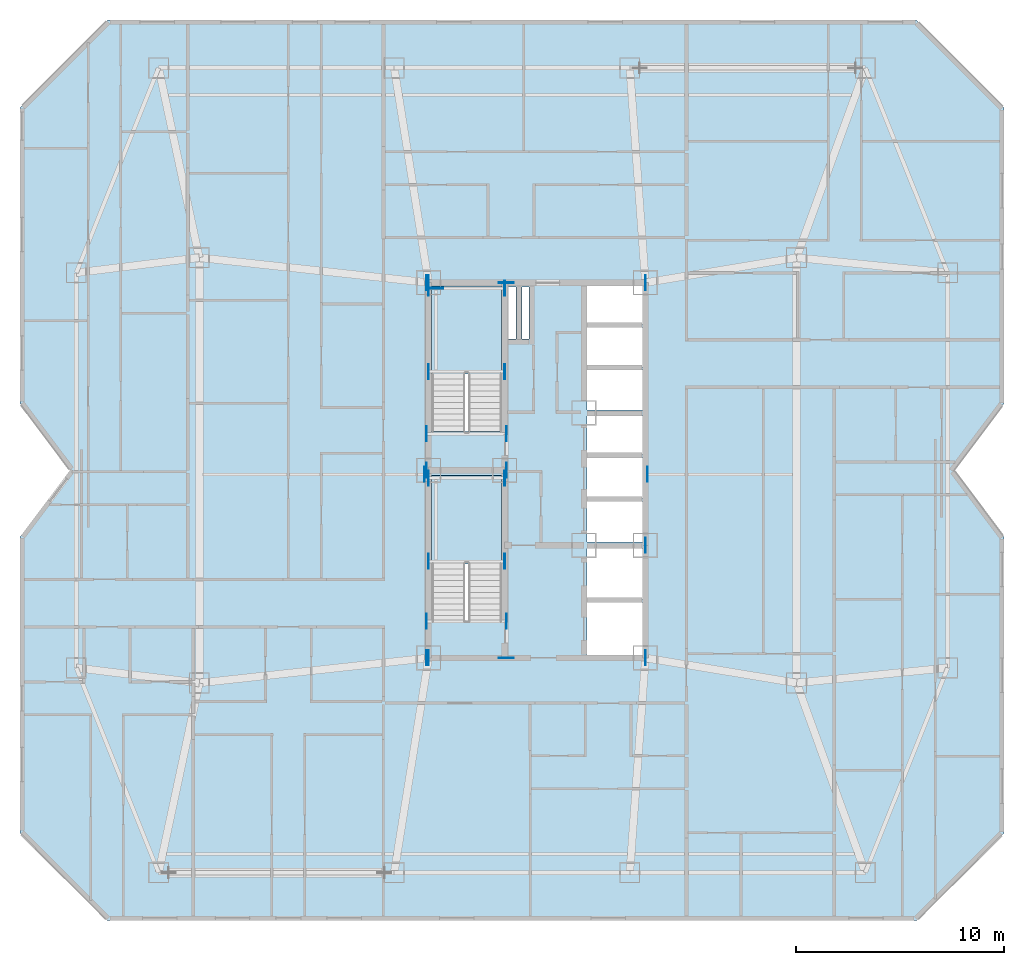
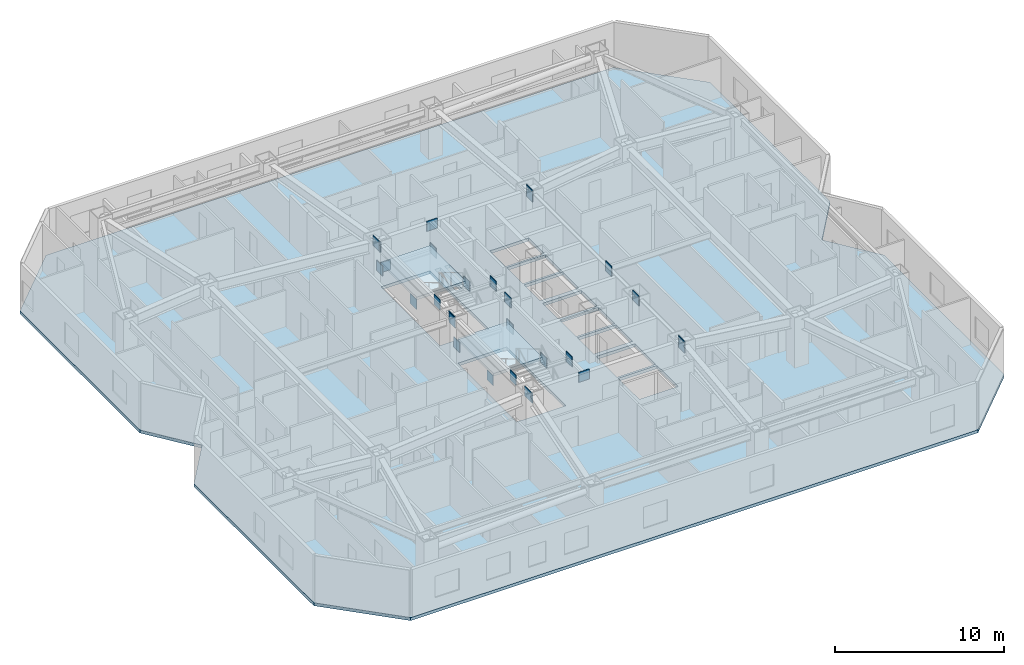
# One storey, part 2 of 13: 28 plates, 3 slabs, 2 elements without a shape of their own.
"""IFC4 building model written with IfcOpenShell, lengths in metres."""

import ifcopenshell
import ifcopenshell.guid

model = None  # the IFC model being written
_history = None  # IfcOwnerHistory: only IFC2X3 demands one
_inside = {}  # id of a spatial element -> (the spatial element, [elements in it])
_under = {}  # id of a project, library or spatial element -> (it, [spatial elements below it])
_declared = {}  # id of a project -> (the project, [libraries it declares])
_typed = {}  # id of a type object -> (the type object, [elements of that type])
_made_of = {}  # id of a material, layer set ... -> (it, [elements and type objects made of it])


def new_model(schema):
    """Start an empty IFC model of exactly this schema.

    Asked for "IFC4X3", IfcOpenShell would pick the latest addendum, in which some entities
    have other attributes; the version numbers below select the first issue.
    IFC2X3 requires an IfcOwnerHistory on every rooted entity: one is made here for all.
    """
    global model, _history
    if schema == "IFC4X3":
        model = ifcopenshell.file(schema_version=(4, 3, 0, 0))
    else:
        model = ifcopenshell.file(schema=schema)
    _inside.clear()
    _under.clear()
    _declared.clear()
    _typed.clear()
    _made_of.clear()
    _history = None
    if model.schema == "IFC2X3":
        org = make("IfcOrganization", Name="unknown")
        user = make(
            "IfcPersonAndOrganization",
            ThePerson=make("IfcPerson", FamilyName="unknown"),
            TheOrganization=org,
        )
        app = make(
            "IfcApplication",
            ApplicationDeveloper=org,
            Version="unknown",
            ApplicationFullName="unknown",
            ApplicationIdentifier="unknown",
        )
        _history = make(
            "IfcOwnerHistory",
            OwningUser=user,
            OwningApplication=app,
            ChangeAction="ADDED",
            CreationDate=0,
        )
    return model


def make(cls, **values):
    """One entity of the class cls with the attributes given. An attribute that is None is left unset."""
    return model.create_entity(
        cls, **{name: value for name, value in values.items() if value is not None}
    )


def rooted(cls, **values):
    """An entity with a GlobalId (a new one), such as an element, a storey or a relation."""
    return make(cls, GlobalId=ifcopenshell.guid.new(), OwnerHistory=_history, **values)


def si_unit(unit_type, name, prefix=None):
    """IfcSIUnit, for example si_unit("LENGTHUNIT", "METRE", prefix="MILLI")."""
    return make("IfcSIUnit", UnitType=unit_type, Prefix=prefix, Name=name)


def assignment(units):
    """IfcUnitAssignment: the units of a project."""
    return None if units is None else make("IfcUnitAssignment", Units=units)


def point(xyz):
    """IfcCartesianPoint."""
    return None if xyz is None else make("IfcCartesianPoint", Coordinates=xyz)


def direction(xyz):
    """IfcDirection."""
    return None if xyz is None else make("IfcDirection", DirectionRatios=xyz)


def frame(location, z_axis=None, x_axis=None):
    """IfcAxis2Placement3D, a coordinate frame: its origin and axes. An axis left out is left unset."""
    return make(
        "IfcAxis2Placement3D",
        Location=point(location),
        Axis=direction(z_axis),
        RefDirection=direction(x_axis),
    )


def frame_2d(location, x_axis=None):
    """IfcAxis2Placement2D, a coordinate frame in the plane: its origin and x axis."""
    return make(
        "IfcAxis2Placement2D", Location=point(location), RefDirection=direction(x_axis)
    )


def origin():
    """The frame at (0, 0, 0) with its axes left unset."""
    return frame((0.0, 0.0, 0.0))


def origin_2d():
    """The frame at (0, 0) in the plane with its x axis left unset."""
    return frame_2d((0.0, 0.0))


def place(relative_to, where):
    """IfcLocalPlacement: puts the frame where relative to a parent placement (None: the world)."""
    return make(
        "IfcLocalPlacement", PlacementRelTo=relative_to, RelativePlacement=where
    )


def context(
    kind, dimensions, precision=None, world=None, true_north=None, identifier=None
):
    """IfcGeometricRepresentationContext, for example the 3D "Model" context."""
    return make(
        "IfcGeometricRepresentationContext",
        ContextIdentifier=identifier,
        ContextType=kind,
        CoordinateSpaceDimension=dimensions,
        Precision=precision,
        WorldCoordinateSystem=world,
        TrueNorth=true_north,
    )


def subcontext(parent, identifier, kind, view, scale=None):
    """IfcGeometricRepresentationSubContext, for example "Body" below "Model"."""
    return make(
        "IfcGeometricRepresentationSubContext",
        ContextIdentifier=identifier,
        ContextType=kind,
        ParentContext=parent,
        TargetScale=scale,
        TargetView=view,
    )


def project(units=None, contexts=None):
    """IfcProject with its units and contexts."""
    return rooted(
        "IfcProject",
        Name="project",
        RepresentationContexts=contexts,
        UnitsInContext=assignment(units),
    )


def spatial(cls, under=None, at=None, **own):
    """A site, building, storey or space (cls), placed at a placement, below another one or the project."""
    s = rooted(cls, ObjectPlacement=at, **own)
    if under is not None:
        _under.setdefault(under.id(), (under, []))[1].append(s)
    return s


def polyline(points):
    """IfcPolyline through the points."""
    return make("IfcPolyline", Points=[point(p) for p in points])


def profile(cls, at=None, kind="AREA", **sizes):
    """A parametric profile (cls). Its sizes go by their IFC names, for example OverallWidth=200.0."""
    return make(cls, ProfileType=kind, Position=at, **sizes)


def rectangle(**sizes):
    """IfcRectangleProfileDef."""
    return profile("IfcRectangleProfileDef", **sizes)


def outline(outer, holes=None, kind="AREA"):
    """IfcArbitraryClosedProfileDef: a profile drawn as a closed curve; with holes, ...WithVoids."""
    if holes is None:
        return make("IfcArbitraryClosedProfileDef", ProfileType=kind, OuterCurve=outer)
    return make(
        "IfcArbitraryProfileDefWithVoids",
        ProfileType=kind,
        OuterCurve=outer,
        InnerCurves=holes,
    )


def extrude(swept, where, along, depth):
    """IfcExtrudedAreaSolid: the profile swept, set in the frame where, extruded along a direction by depth."""
    return make(
        "IfcExtrudedAreaSolid",
        SweptArea=swept,
        Position=where,
        ExtrudedDirection=direction(along),
        Depth=depth,
    )


def shape(context_of_items, identifier, shape_type, items):
    """IfcShapeRepresentation: the items that make up one representation, for example the "Body"."""
    return make(
        "IfcShapeRepresentation",
        ContextOfItems=context_of_items,
        RepresentationIdentifier=identifier,
        RepresentationType=shape_type,
        Items=items,
    )


def material(Name=None, Category=None):
    """IfcMaterial."""
    return make("IfcMaterial", Name=Name, Category=Category)


def layer(
    of_material, thickness, ventilated=None, Name=None, Category=None, Priority=None
):
    """IfcMaterialLayer: one layer of a wall or slab, of a material (None: an air gap)."""
    return make(
        "IfcMaterialLayer",
        Material=of_material,
        LayerThickness=thickness,
        IsVentilated=ventilated,
        Name=Name,
        Category=Category,
        Priority=Priority,
    )


def layer_set(layers, Name=None):
    """IfcMaterialLayerSet."""
    return make("IfcMaterialLayerSet", MaterialLayers=layers, LayerSetName=Name)


def made_of(thing, what):
    """Note that an element or type object is made of a material, layer set ...; save() writes the relation."""
    if what is not None:
        _made_of.setdefault(what.id(), (what, []))[1].append(thing)
    return thing


def type_object(cls, material=None, **own):
    """A type object (cls), such as IfcWallType, which elements share."""
    return made_of(rooted(cls, **own), material)


def element(
    cls,
    number,
    at=None,
    inside=None,
    cuts=None,
    type_object=None,
    material=None,
    context=None,
    identifier="Body",
    shape_type=None,
    held_by="IfcProductDefinitionShape",
    body=None,
    shapes=None,
    **own,
):
    """One element of the class cls, such as IfcWall. Its Tag is "e" and its number.

    at: its placement. inside: the storey or other place that contains it. cuts: it is an
    opening in that element (IfcRelVoidsElement). A single representation is given by context,
    identifier, shape_type and body (its items); several are given by shapes. held_by: the class
    of the entity that holds the representations. save() writes the other relations.
    """
    e = rooted(cls, Tag="e%d" % number, ObjectPlacement=at, **own)
    if body is not None:
        shapes = [shape(context, identifier, shape_type, body)]
    if shapes is not None:
        e.Representation = make(held_by, Representations=shapes)
    if inside is not None:
        _inside.setdefault(inside.id(), (inside, []))[1].append(e)
    if cuts is not None:
        rooted(
            "IfcRelVoidsElement", RelatingBuildingElement=cuts, RelatedOpeningElement=e
        )
    if type_object is not None:
        _typed.setdefault(type_object.id(), (type_object, []))[1].append(e)
    return made_of(e, material)


def aggregate(whole, parts):
    """IfcRelAggregates: a whole, such as a stair, and the parts it consists of."""
    return rooted("IfcRelAggregates", RelatingObject=whole, RelatedObjects=parts)


def save(model, path):
    """Write the relations noted so far, then the file.

    IfcRelAggregates (storeys below a building ...), IfcRelContainedInSpatialStructure (elements
    in a storey), IfcRelDefinesByType, IfcRelAssociatesMaterial and IfcRelDeclares: one each for
    every whole, place, type object, material and project.
    """
    for whole, parts in _under.values():
        aggregate(whole, parts)
    for where, things in _inside.values():
        rooted(
            "IfcRelContainedInSpatialStructure",
            RelatedElements=things,
            RelatingStructure=where,
        )
    for kind, things in _typed.values():
        rooted("IfcRelDefinesByType", RelatedObjects=things, RelatingType=kind)
    for what, things in _made_of.values():
        rooted("IfcRelAssociatesMaterial", RelatedObjects=things, RelatingMaterial=what)
    for by, libraries in _declared.values():
        rooted("IfcRelDeclares", RelatingContext=by, RelatedDefinitions=libraries)
    model.write(path)


model = new_model("IFC4")

# Units and contexts
model_context = context("Model", 3, precision=1e-05, world=origin(), true_north=direction((0.0, 1.0)))
body_context = subcontext(model_context, "Body", "Model", "MODEL_VIEW")
ifc_project = project(units=[si_unit("LENGTHUNIT", "METRE"), si_unit("AREAUNIT", "SQUARE_METRE"), si_unit("VOLUMEUNIT", "CUBIC_METRE"), si_unit("PLANEANGLEUNIT", "RADIAN"), si_unit("MASSUNIT", "GRAM", prefix="KILO")], contexts=[model_context])

# Site, building, storey
site_placement = place(None, origin())
site = spatial("IfcSite", under=ifc_project, at=site_placement, CompositionType="ELEMENT")
building_placement = place(site_placement, origin())
building = spatial("IfcBuilding", under=site, at=building_placement, Name="Khamvora Tower", CompositionType="ELEMENT")
storey_placement = place(building_placement, frame((0.0, 0.0, 105.550048828125)))
storey = spatial("IfcBuildingStorey", under=building, at=storey_placement, Name="L26", CompositionType="ELEMENT", Elevation=105.550048828125)

# Plates
ifc_material_1 = material(Name="Steel S460", Category="steel")
ifc_layer_1 = layer(ifc_material_1, 0.034912109375)
ifc_layer_set_1 = layer_set([ifc_layer_1], Name="Steel S460")
plate_type = type_object("IfcPlateType", Name="PL-EMB-35", PredefinedType="SHEET", material=ifc_layer_set_1)
for number, where, z_axis, x_axis, name in (
    (1, (29.0, 23.635009765625, 1.1337890625), (0.0, 0.0, 1.0), (1.0, 0.0, 0.0), "L26 core shear wall cast-in embed plate 0768"),
    (2, (32.64990234375, 23.635009765625, 1.1337890625), (0.0, 0.0, 1.0), (1.0, 0.0, 0.0), "L26 core shear wall cast-in embed plate 0769"),
    (3, (29.0, 27.6298828125, 1.1337890625), (0.0, 0.0, 1.0), (1.0, 0.0, 0.0), "L26 core shear wall cast-in embed plate 0770"),
    (4, (32.64990234375, 27.6298828125, 1.1337890625), (0.0, 0.0, 1.0), (1.0, 0.0, 0.0), "L26 core shear wall cast-in embed plate 0771"),
    (5, (29.0, 32.735107421875, 1.1337890625), (0.0, 0.0, 1.0), (1.0, 0.0, 0.0), "L26 core shear wall cast-in embed plate 0772"),
    (6, (32.64990234375, 32.735107421875, 1.1337890625), (0.0, 0.0, 1.0), (1.0, 0.0, 0.0), "L26 core shear wall cast-in embed plate 0773"),
    (7, (29.0, 36.72998046875, 1.1337890625), (0.0, 0.0, 1.0), (1.0, 0.0, 0.0), "L26 core shear wall cast-in embed plate 0774"),
    (8, (32.64990234375, 36.72998046875, 1.1337890625), (0.0, 0.0, 1.0), (1.0, 0.0, 0.0), "L26 core shear wall cast-in embed plate 0775"),
):
    element("IfcPlate", number, at=place(storey_placement, frame(where, z_axis=z_axis, x_axis=x_axis)), inside=storey, type_object=plate_type, Name=name, PredefinedType="SHEET", context=body_context, shape_type="SweptSolid", body=[
        extrude(rectangle(XDim=0.034912109375, YDim=0.719970703125, at=origin_2d()), origin(), (0.0, 0.0, 1.0), 0.719970703125),
    ])
plate_1_placement = place(storey_placement, frame((29.35009765625, 36.72998046875, 1.1337890625), z_axis=(0.0, 0.0, 1.0), x_axis=(1.0, 0.0, 0.0)))
element("IfcPlate", 9, at=plate_1_placement, inside=storey, type_object=plate_type, Name="L26 core shear wall cast-in embed plate 0776", PredefinedType="SHEET", context=body_context, shape_type="SweptSolid", body=[
    extrude(rectangle(XDim=0.719970703125, YDim=0.034912109375, at=origin_2d()), origin(), (0.0, 0.0, 1.0), 0.719970703125),
])
for number, where, z_axis, x_axis, name in (
    (10, (29.0, 19.0, 2.68408203125), (0.0, 0.0, 1.0), (1.0, 0.0, 0.0), "L26 core shear wall cast-in embed plate 0777"),
    (11, (39.39990234375, 19.0, 2.68408203125), (0.0, 0.0, 1.0), (1.0, 0.0, 0.0), "L26 core shear wall cast-in embed plate 0778"),
    (12, (29.0, 37.0, 2.68408203125), (0.0, 0.0, 1.0), (1.0, 0.0, 0.0), "L26 core shear wall cast-in embed plate 0779"),
    (13, (39.39990234375, 37.0, 2.68408203125), (0.0, 0.0, 1.0), (1.0, 0.0, 0.0), "L26 core shear wall cast-in embed plate 0780"),
    (14, (28.89990234375, 19.0, 2.80419921875), (0.0, 0.0, 1.0), (1.0, 0.0, 0.0), "L26 core shear wall cast-in embed plate 0781"),
    (15, (28.89990234375, 28.0, 2.80419921875), (0.0, 0.0, 1.0), (1.0, 0.0, 0.0), "L26 core shear wall cast-in embed plate 0782"),
    (16, (28.89990234375, 37.0, 2.80419921875), (0.0, 0.0, 1.0), (1.0, 0.0, 0.0), "L26 core shear wall cast-in embed plate 0783"),
):
    element("IfcPlate", number, at=place(storey_placement, frame(where, z_axis=z_axis, x_axis=x_axis)), inside=storey, type_object=plate_type, Name=name, PredefinedType="SHEET", context=body_context, shape_type="SweptSolid", body=[
        extrude(rectangle(XDim=0.034912109375, YDim=0.719970703125, at=origin_2d()), origin(), (0.0, 0.0, 1.0), 0.719970703125),
    ])
plate_2_placement = place(storey_placement, frame((32.72998046875, 19.0, 2.80419921875), z_axis=(0.0, 0.0, 1.0), x_axis=(1.0, 0.0, 0.0)))
element("IfcPlate", 17, at=plate_2_placement, inside=storey, type_object=plate_type, Name="L26 core shear wall cast-in embed plate 0784", PredefinedType="SHEET", context=body_context, shape_type="SweptSolid", body=[
    extrude(rectangle(XDim=0.719970703125, YDim=0.034912109375, at=origin_2d()), origin(), (0.0, 0.0, 1.0), 0.719970703125),
])
plate_3_placement = place(storey_placement, frame((32.72998046875, 28.0, 2.80419921875), z_axis=(0.0, 0.0, 1.0), x_axis=(1.0, 0.0, 0.0)))
element("IfcPlate", 18, at=plate_3_placement, inside=storey, type_object=plate_type, Name="L26 core shear wall cast-in embed plate 0785", PredefinedType="SHEET", context=body_context, shape_type="SweptSolid", body=[
    extrude(rectangle(XDim=0.034912109375, YDim=0.719970703125, at=origin_2d()), origin(), (0.0, 0.0, 1.0), 0.719970703125),
])
plate_4_placement = place(storey_placement, frame((32.72998046875, 37.0, 2.80419921875), z_axis=(0.0, 0.0, 1.0), x_axis=(1.0, 0.0, 0.0)))
element("IfcPlate", 19, at=plate_4_placement, inside=storey, type_object=plate_type, Name="L26 core shear wall cast-in embed plate 0786", PredefinedType="SHEET", context=body_context, shape_type="SweptSolid", body=[
    extrude(rectangle(XDim=0.719970703125, YDim=0.034912109375, at=origin_2d()), origin(), (0.0, 0.0, 1.0), 0.719970703125),
])
for number, where, z_axis, x_axis, name in (
    (20, (39.39990234375, 19.0, 2.80419921875), (0.0, 0.0, 1.0), (1.0, 0.0, 0.0), "L26 core shear wall cast-in embed plate 0787"),
    (21, (39.39990234375, 24.39990234375, 2.80419921875), (0.0, 0.0, 1.0), (1.0, 0.0, 0.0), "L26 core shear wall cast-in embed plate 0788"),
    (22, (39.39990234375, 37.0, 2.80419921875), (0.0, 0.0, 1.0), (1.0, 0.0, 0.0), "L26 core shear wall cast-in embed plate 0789"),
    (23, (28.89990234375, 20.75, 2.94384765625), (0.0, 0.0, 1.0), (1.0, 0.0, 0.0), "L26 core shear wall cast-in embed plate 0790"),
    (24, (32.72998046875, 20.75, 2.94384765625), (0.0, 0.0, 1.0), (1.0, 0.0, 0.0), "L26 core shear wall cast-in embed plate 0791"),
    (25, (28.89990234375, 29.75, 2.94384765625), (0.0, 0.0, 1.0), (1.0, 0.0, 0.0), "L26 core shear wall cast-in embed plate 0792"),
    (26, (32.72998046875, 29.75, 2.94384765625), (0.0, 0.0, 1.0), (1.0, 0.0, 0.0), "L26 core shear wall cast-in embed plate 0793"),
    (27, (28.800048828125, 27.800048828125, 2.8408203125), (0.0, 0.0, 1.0), (1.0, 0.0, 0.0), "L26 core shear wall cast-in embed plate 0794"),
    (28, (39.4990234375, 27.800048828125, 2.8408203125), (0.0, 0.0, 1.0), (1.0, 0.0, 0.0), "L26 core shear wall cast-in embed plate 0795"),
):
    element("IfcPlate", number, at=place(storey_placement, frame(where, z_axis=z_axis, x_axis=x_axis)), inside=storey, type_object=plate_type, Name=name, PredefinedType="SHEET", context=body_context, shape_type="SweptSolid", body=[
        extrude(rectangle(XDim=0.034912109375, YDim=0.719970703125, at=origin_2d()), origin(), (0.0, 0.0, 1.0), 0.719970703125),
    ])

# Stair, slab
ifc_material_2 = material(Name="Concrete C40/50", Category="concrete")
stair_type_1 = type_object("IfcStairType", Name="STR-ST-01", PredefinedType="HALF_TURN_STAIR", material=ifc_material_2)
stair_1_placement = place(storey_placement, origin())
stair_1 = element("IfcStair", 29, at=stair_1_placement, inside=storey, type_object=stair_type_1, Name="L26 South Tower Exit Stair ST-01", PredefinedType="HALF_TURN_STAIR")
ifc_layer_2 = layer(ifc_material_2, 0.199951171875)
ifc_layer_set_2 = layer_set([ifc_layer_2], Name="Concrete C40/50")
slab_type_1 = type_object("IfcSlabType", Name="SLB-LND-200", PredefinedType="LANDING", material=ifc_layer_set_2)
slab_1_placement = place(storey_placement, frame((0.0, 0.0, 1.625)))
slab_1 = element("IfcSlab", 30, at=slab_1_placement, type_object=slab_type_1, Name="ST-01 landing 1", PredefinedType="LANDING", context=body_context, shape_type="SweptSolid", body=[
    extrude(outline(polyline([(32.5, 23.514892578125), (32.5, 27.75), (29.14990234375, 27.75), (29.14990234375, 23.514892578125), (32.5, 23.514892578125)])), origin(), (0.0, 0.0, 1.0), 0.199951171875),
])
aggregate(stair_1, [slab_1])

stair_type_2 = type_object("IfcStairType", Name="STR-ST-02", PredefinedType="HALF_TURN_STAIR", material=ifc_material_2)
stair_2_placement = place(storey_placement, origin())
stair_2 = element("IfcStair", 31, at=stair_2_placement, inside=storey, type_object=stair_type_2, Name="L26 North Tower Exit Stair ST-02", PredefinedType="HALF_TURN_STAIR")
slab_2_placement = place(storey_placement, frame((0.0, 0.0, 1.625)))
slab_2 = element("IfcSlab", 32, at=slab_2_placement, type_object=slab_type_1, Name="ST-02 landing 1", PredefinedType="LANDING", context=body_context, shape_type="SweptSolid", body=[
    extrude(outline(polyline([(32.5, 32.614990234375), (32.5, 36.85009765625), (29.14990234375, 36.85009765625), (29.14990234375, 32.614990234375), (32.5, 32.614990234375)])), origin(), (0.0, 0.0, 1.0), 0.199951171875),
])
aggregate(stair_2, [slab_2])

# Slab
ifc_material_3 = material(Name="Concrete C35/45", Category="concrete")
ifc_layer_3 = layer(ifc_material_3, 0.219970703125)
ifc_layer_set_3 = layer_set([ifc_layer_3], Name="Concrete C35/45")
slab_type_2 = type_object("IfcSlabType", Name="SLB-TYP-220", PredefinedType="FLOOR", material=ifc_layer_set_3)
slab_3_placement = place(storey_placement, frame((0.0, 0.0, -0.219970703125)))
element("IfcSlab", 33, at=slab_3_placement, inside=storey, type_object=slab_type_2, Name="L26 structural floor slab", PredefinedType="FLOOR", context=body_context, shape_type="SweptSolid", body=[
    extrude(outline(polyline([(13.60009765625, 6.39990234375), (52.39990234375, 6.39990234375), (56.60009765625, 10.60009765625), (56.60009765625, 24.800048828125), (54.199951171875, 28.0), (56.60009765625, 31.199951171875), (56.60009765625, 45.39990234375), (52.39990234375, 49.60009765625), (13.60009765625, 49.60009765625), (9.39990234375, 45.39990234375), (9.39990234375, 31.199951171875), (11.800048828125, 28.0), (9.39990234375, 24.800048828125), (9.39990234375, 10.60009765625), (13.60009765625, 6.39990234375)]), holes=[polyline([(32.5, 20.760009765625), (32.5, 27.75), (29.14990234375, 27.75), (29.14990234375, 20.760009765625), (32.5, 20.760009765625)]), polyline([(32.5, 29.860107421875), (32.5, 36.85009765625), (29.14990234375, 36.85009765625), (29.14990234375, 29.860107421875), (32.5, 29.860107421875)]), polyline([(36.60009765625, 19.14990234375), (39.25, 19.14990234375), (39.25, 21.64990234375), (36.60009765625, 21.64990234375), (36.60009765625, 19.14990234375)]), polyline([(36.60009765625, 21.800048828125), (39.25, 21.800048828125), (39.25, 24.25), (36.60009765625, 24.25), (36.60009765625, 21.800048828125)]), polyline([(36.60009765625, 24.550048828125), (39.25, 24.550048828125), (39.25, 26.5), (36.60009765625, 26.5), (36.60009765625, 24.550048828125)]), polyline([(36.60009765625, 26.64990234375), (39.25, 26.64990234375), (39.25, 28.60009765625), (36.60009765625, 28.60009765625), (36.60009765625, 26.64990234375)]), polyline([(36.60009765625, 28.75), (39.25, 28.75), (39.25, 30.60009765625), (36.60009765625, 30.60009765625), (36.60009765625, 28.75)]), polyline([(36.60009765625, 30.89990234375), (39.25, 30.89990234375), (39.25, 32.800048828125), (36.60009765625, 32.800048828125), (36.60009765625, 30.89990234375)]), polyline([(36.60009765625, 32.949951171875), (39.25, 32.949951171875), (39.25, 34.85009765625), (36.60009765625, 34.85009765625), (36.60009765625, 32.949951171875)]), polyline([(36.60009765625, 35.0), (39.25, 35.0), (39.25, 36.85009765625), (36.60009765625, 36.85009765625), (36.60009765625, 35.0)]), polyline([(32.800048828125, 34.300048828125), (33.199951171875, 34.300048828125), (33.199951171875, 36.800048828125), (32.800048828125, 36.800048828125), (32.800048828125, 34.300048828125)]), polyline([(33.47998046875, 34.300048828125), (33.820068359375, 34.300048828125), (33.820068359375, 36.800048828125), (33.47998046875, 36.800048828125), (33.47998046875, 34.300048828125)])]), origin(), (0.0, 0.0, 1.0), 0.219970703125),
])

save(model, "model.ifc")
